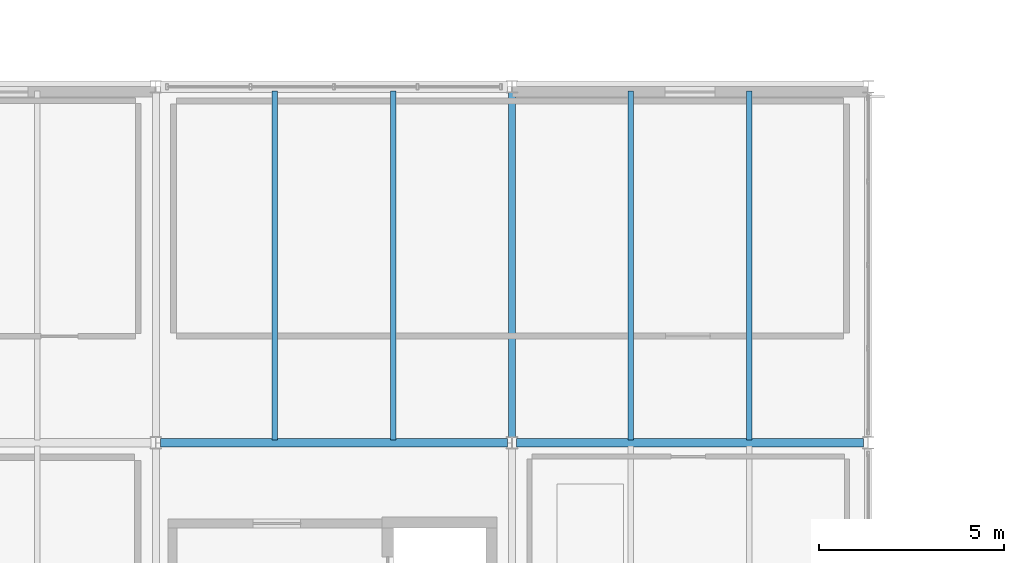
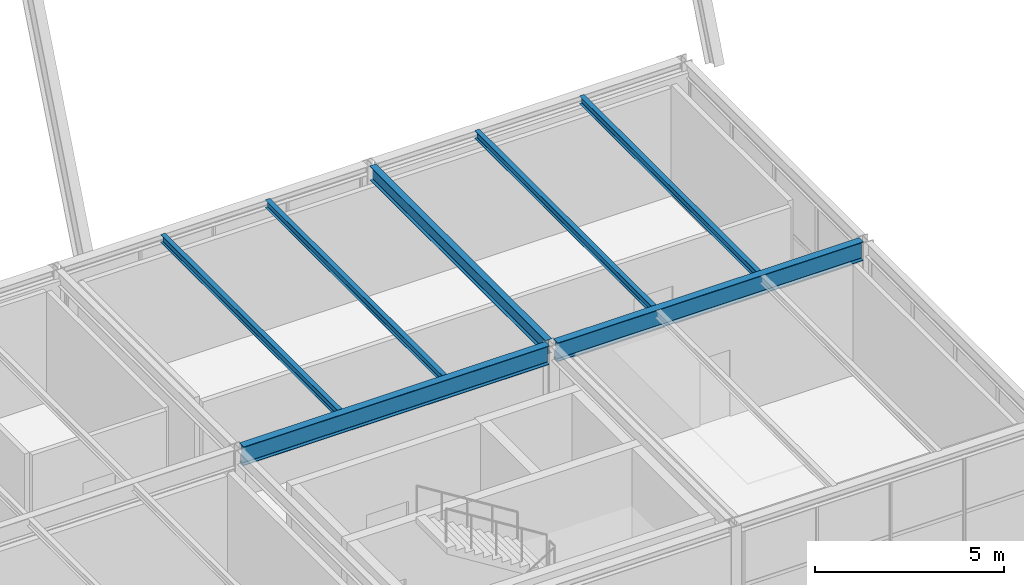
# One storey, part 49 of 126: 7 beams.
"""IFC4 building model written with IfcOpenShell, lengths in metres."""

from ifc_helpers import new_model, si_unit, direction, frame, origin, origin_2d, place, context, subcontext, project, spatial, i_section, extrude, material, material_profile, profile_set, type_object, element, save


model = new_model("IFC4")

# Units and contexts
model_context = context("Model", 3, precision=1e-05, world=origin(), true_north=direction((0.0, 1.0)))
body_context = subcontext(model_context, "Body", "Model", "MODEL_VIEW")
ifc_project = project(units=[si_unit("LENGTHUNIT", "METRE"), si_unit("AREAUNIT", "SQUARE_METRE"), si_unit("VOLUMEUNIT", "CUBIC_METRE"), si_unit("PLANEANGLEUNIT", "RADIAN"), si_unit("MASSUNIT", "GRAM", prefix="KILO")], contexts=[model_context])

# Site, building, storey
site_placement = place(None, origin())
site = spatial("IfcSite", under=ifc_project, at=site_placement, CompositionType="ELEMENT")
building_placement = place(site_placement, origin())
building = spatial("IfcBuilding", under=site, at=building_placement, Name="Coralgate Yard Interchange", CompositionType="ELEMENT")
storey_placement = place(building_placement, frame((0.0, 0.0, 10.5)))
storey = spatial("IfcBuildingStorey", under=building, at=storey_placement, Name="L02", CompositionType="ELEMENT", Elevation=10.5)

# Beams
ifc_material = material(Name="Structural steel S355J2", Category="steel")
ifc_material_profile_1 = material_profile(ifc_material, i_section(OverallWidth=0.1904296875, OverallDepth=0.45703125, WebThickness=0.009033203125, FlangeThickness=0.014404296875, FilletRadius=0.01025390625, at=origin_2d()), Name="UB 457x191x74")
ifc_profile_set_1 = profile_set([ifc_material_profile_1], Name="Structural steel S355J2")
beam_type_1 = type_object("IfcBeamType", Name="BM-SB-2", PredefinedType="BEAM", material=ifc_profile_set_1)
beam_1_placement = place(storey_placement, frame((86.39990234375, 9.739990234375, 3.721435546875), z_axis=(0.0, 1.0, 0.0), x_axis=(-1.0, 0.0, 0.0)))
element("IfcBeam", 1, at=beam_1_placement, inside=storey, type_object=beam_type_1, Name="L02 primary grid girder X9 Y1-2", PredefinedType="BEAM", context=body_context, shape_type="SweptSolid", body=[
    extrude(i_section(OverallWidth=0.1904296875, OverallDepth=0.45703125, WebThickness=0.009033203125, FlangeThickness=0.014404296875, FilletRadius=0.01025390625, at=origin_2d()), origin(), (0.0, 0.0, 1.0), 9.320068359375),
])
ifc_material_profile_2 = material_profile(ifc_material, i_section(OverallWidth=0.228271484375, OverallDepth=0.607666015625, WebThickness=0.010986328125, FlangeThickness=0.017333984375, FilletRadius=0.0126953125, at=origin_2d()), Name="UB 610x229x113")
ifc_profile_set_2 = profile_set([ifc_material_profile_2], Name="Structural steel S355J2")
beam_type_2 = type_object("IfcBeamType", Name="BM-SG-5", PredefinedType="BEAM", material=ifc_profile_set_2)
beam_2_placement = place(storey_placement, frame((76.92724609375, 9.60009765625, 3.646240234375), z_axis=(1.0, 0.0, 0.0), x_axis=(0.0, 1.0, 0.0)))
element("IfcBeam", 2, at=beam_2_placement, inside=storey, type_object=beam_type_2, Name="L02 primary grid beam Y1 X8-9", PredefinedType="BEAM", context=body_context, shape_type="SweptSolid", body=[
    extrude(i_section(OverallWidth=0.228271484375, OverallDepth=0.607666015625, WebThickness=0.010986328125, FlangeThickness=0.017333984375, FilletRadius=0.0126953125, at=origin_2d()), origin(), (0.0, 0.0, 1.0), 9.345458984375),
])
beam_3_placement = place(storey_placement, frame((86.527099609375, 9.60009765625, 3.646240234375), z_axis=(1.0, 0.0, 0.0), x_axis=(0.0, 1.0, 0.0)))
element("IfcBeam", 3, at=beam_3_placement, inside=storey, type_object=beam_type_2, Name="L02 primary grid beam Y1 X9-10", PredefinedType="BEAM", context=body_context, shape_type="SweptSolid", body=[
    extrude(i_section(OverallWidth=0.228271484375, OverallDepth=0.607666015625, WebThickness=0.010986328125, FlangeThickness=0.017333984375, FilletRadius=0.0126953125, at=origin_2d()), origin(), (0.0, 0.0, 1.0), 9.345703125),
])
ifc_material_profile_3 = material_profile(ifc_material, i_section(OverallWidth=0.14599609375, OverallDepth=0.25146484375, WebThickness=0.006103515625, FlangeThickness=0.008544921875, FilletRadius=0.007568359375, at=origin_2d()), Name="UB 254x146x31")
ifc_profile_set_3 = profile_set([ifc_material_profile_3], Name="Structural steel S355J2")
beam_type_3 = type_object("IfcBeamType", Name="BM-SJ-2", PredefinedType="JOIST", material=ifc_profile_set_3)
for number, where, z_axis, x_axis, name in (
    (4, (80.0, 9.68408203125, 3.82421875), (0.0, 1.0, 0.0), (-1.0, 0.0, 0.0), "L02 composite floor joist 8-1-1"),
    (5, (83.199951171875, 9.68408203125, 3.82421875), (0.0, 1.0, 0.0), (-1.0, 0.0, 0.0), "L02 composite floor joist 8-1-2"),
    (6, (89.60009765625, 9.68408203125, 3.82421875), (0.0, 1.0, 0.0), (-1.0, 0.0, 0.0), "L02 composite floor joist 9-1-1"),
    (7, (92.800048828125, 9.68408203125, 3.82421875), (0.0, 1.0, 0.0), (-1.0, 0.0, 0.0), "L02 composite floor joist 9-1-2"),
):
    element("IfcBeam", number, at=place(storey_placement, frame(where, z_axis=z_axis, x_axis=x_axis)), inside=storey, type_object=beam_type_3, Name=name, PredefinedType="JOIST", context=body_context, shape_type="SweptSolid", body=[
        extrude(i_section(OverallWidth=0.14599609375, OverallDepth=0.25146484375, WebThickness=0.006103515625, FlangeThickness=0.008544921875, FilletRadius=0.007568359375, at=origin_2d()), origin(), (0.0, 0.0, 1.0), 9.39599609375),
    ])

save(model, "model.ifc")
